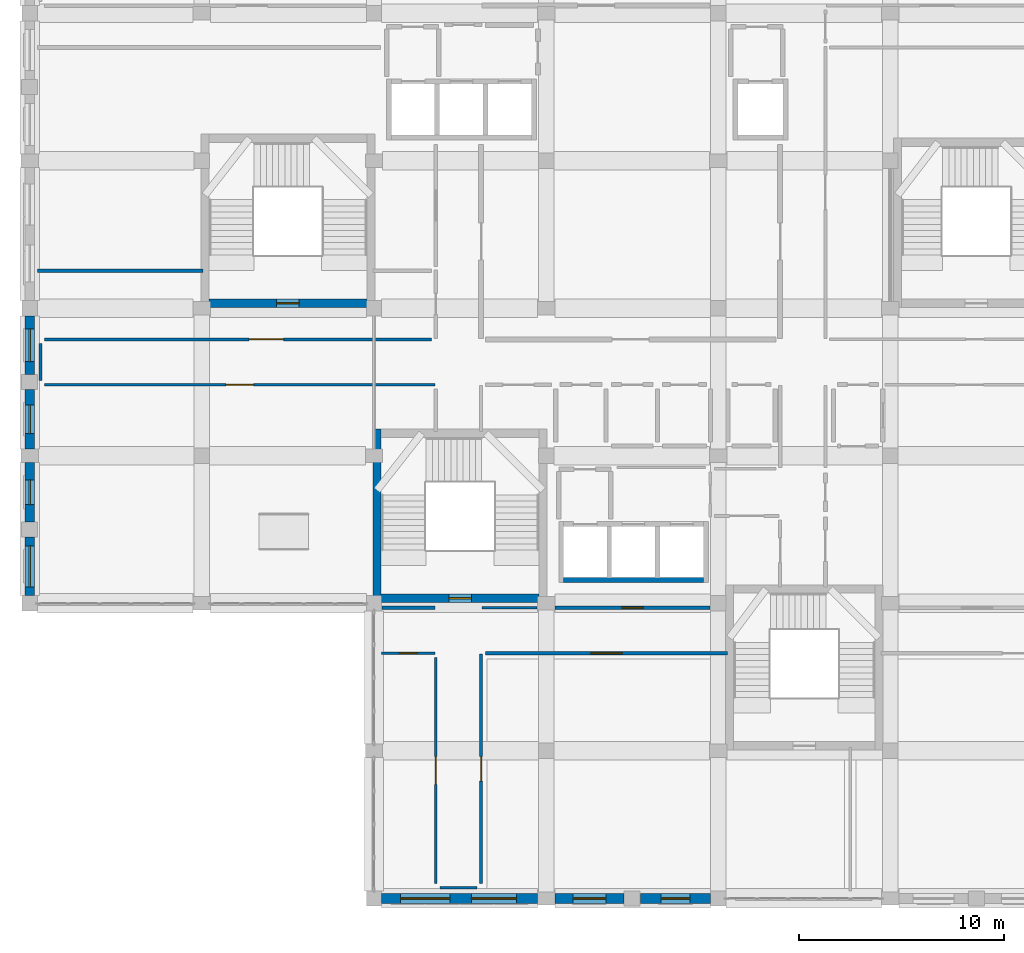
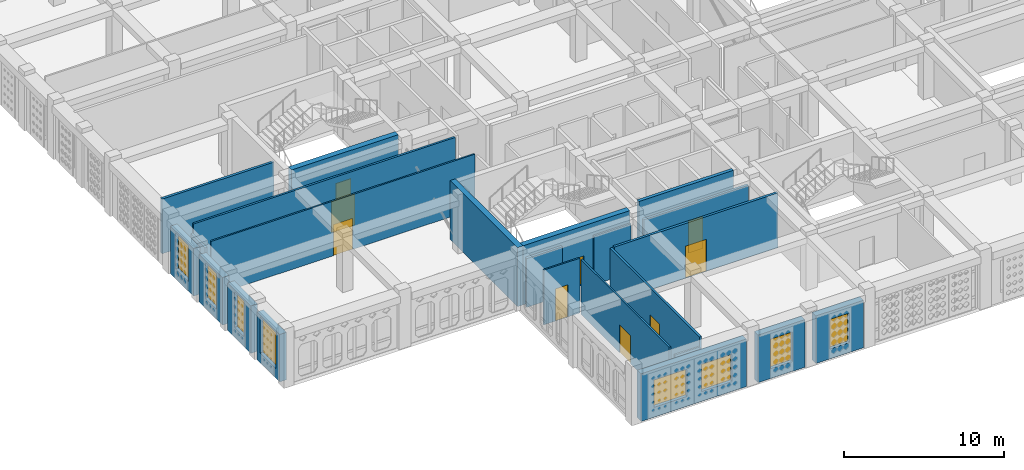
# One storey, part 71 of 121: 23 walls, 9 doors, 8 windows, 17 openings.
"""IFC4 building model written with IfcOpenShell, lengths in metres."""

import ifcopenshell
import ifcopenshell.guid

model = None  # the IFC model being written
_history = None  # IfcOwnerHistory: only IFC2X3 demands one
_inside = {}  # id of a spatial element -> (the spatial element, [elements in it])
_under = {}  # id of a project, library or spatial element -> (it, [spatial elements below it])
_declared = {}  # id of a project -> (the project, [libraries it declares])
_typed = {}  # id of a type object -> (the type object, [elements of that type])
_made_of = {}  # id of a material, layer set ... -> (it, [elements and type objects made of it])


def new_model(schema):
    """Start an empty IFC model of exactly this schema.

    Asked for "IFC4X3", IfcOpenShell would pick the latest addendum, in which some entities
    have other attributes; the version numbers below select the first issue.
    IFC2X3 requires an IfcOwnerHistory on every rooted entity: one is made here for all.
    """
    global model, _history
    if schema == "IFC4X3":
        model = ifcopenshell.file(schema_version=(4, 3, 0, 0))
    else:
        model = ifcopenshell.file(schema=schema)
    _inside.clear()
    _under.clear()
    _declared.clear()
    _typed.clear()
    _made_of.clear()
    _history = None
    if model.schema == "IFC2X3":
        org = make("IfcOrganization", Name="unknown")
        user = make(
            "IfcPersonAndOrganization",
            ThePerson=make("IfcPerson", FamilyName="unknown"),
            TheOrganization=org,
        )
        app = make(
            "IfcApplication",
            ApplicationDeveloper=org,
            Version="unknown",
            ApplicationFullName="unknown",
            ApplicationIdentifier="unknown",
        )
        _history = make(
            "IfcOwnerHistory",
            OwningUser=user,
            OwningApplication=app,
            ChangeAction="ADDED",
            CreationDate=0,
        )
    return model


def make(cls, **values):
    """One entity of the class cls with the attributes given. An attribute that is None is left unset."""
    return model.create_entity(
        cls, **{name: value for name, value in values.items() if value is not None}
    )


def rooted(cls, **values):
    """An entity with a GlobalId (a new one), such as an element, a storey or a relation."""
    return make(cls, GlobalId=ifcopenshell.guid.new(), OwnerHistory=_history, **values)


def si_unit(unit_type, name, prefix=None):
    """IfcSIUnit, for example si_unit("LENGTHUNIT", "METRE", prefix="MILLI")."""
    return make("IfcSIUnit", UnitType=unit_type, Prefix=prefix, Name=name)


def derived_unit(unit_type, elements):
    """IfcDerivedUnit: a product of units, each with its exponent."""
    return make(
        "IfcDerivedUnit",
        Elements=[
            make("IfcDerivedUnitElement", Unit=unit, Exponent=power)
            for unit, power in elements
        ],
        UnitType=unit_type,
    )


def assignment(units):
    """IfcUnitAssignment: the units of a project."""
    return None if units is None else make("IfcUnitAssignment", Units=units)


def point(xyz):
    """IfcCartesianPoint."""
    return None if xyz is None else make("IfcCartesianPoint", Coordinates=xyz)


def direction(xyz):
    """IfcDirection."""
    return None if xyz is None else make("IfcDirection", DirectionRatios=xyz)


def frame(location, z_axis=None, x_axis=None):
    """IfcAxis2Placement3D, a coordinate frame: its origin and axes. An axis left out is left unset."""
    return make(
        "IfcAxis2Placement3D",
        Location=point(location),
        Axis=direction(z_axis),
        RefDirection=direction(x_axis),
    )


def frame_2d(location, x_axis=None):
    """IfcAxis2Placement2D, a coordinate frame in the plane: its origin and x axis."""
    return make(
        "IfcAxis2Placement2D", Location=point(location), RefDirection=direction(x_axis)
    )


def origin():
    """The frame at (0, 0, 0) with its axes left unset."""
    return frame((0.0, 0.0, 0.0))


def place(relative_to, where):
    """IfcLocalPlacement: puts the frame where relative to a parent placement (None: the world)."""
    return make(
        "IfcLocalPlacement", PlacementRelTo=relative_to, RelativePlacement=where
    )


def context(
    kind, dimensions, precision=None, world=None, true_north=None, identifier=None
):
    """IfcGeometricRepresentationContext, for example the 3D "Model" context."""
    return make(
        "IfcGeometricRepresentationContext",
        ContextIdentifier=identifier,
        ContextType=kind,
        CoordinateSpaceDimension=dimensions,
        Precision=precision,
        WorldCoordinateSystem=world,
        TrueNorth=true_north,
    )


def subcontext(parent, identifier, kind, view, scale=None):
    """IfcGeometricRepresentationSubContext, for example "Body" below "Model"."""
    return make(
        "IfcGeometricRepresentationSubContext",
        ContextIdentifier=identifier,
        ContextType=kind,
        ParentContext=parent,
        TargetScale=scale,
        TargetView=view,
    )


def project(units=None, contexts=None):
    """IfcProject with its units and contexts."""
    return rooted(
        "IfcProject",
        Name="project",
        RepresentationContexts=contexts,
        UnitsInContext=assignment(units),
    )


def spatial(cls, under=None, at=None, **own):
    """A site, building, storey or space (cls), placed at a placement, below another one or the project."""
    s = rooted(cls, ObjectPlacement=at, **own)
    if under is not None:
        _under.setdefault(under.id(), (under, []))[1].append(s)
    return s


def profile(cls, at=None, kind="AREA", **sizes):
    """A parametric profile (cls). Its sizes go by their IFC names, for example OverallWidth=200.0."""
    return make(cls, ProfileType=kind, Position=at, **sizes)


def rectangle(**sizes):
    """IfcRectangleProfileDef."""
    return profile("IfcRectangleProfileDef", **sizes)


def extrude(swept, where, along, depth):
    """IfcExtrudedAreaSolid: the profile swept, set in the frame where, extruded along a direction by depth."""
    return make(
        "IfcExtrudedAreaSolid",
        SweptArea=swept,
        Position=where,
        ExtrudedDirection=direction(along),
        Depth=depth,
    )


def shape(context_of_items, identifier, shape_type, items):
    """IfcShapeRepresentation: the items that make up one representation, for example the "Body"."""
    return make(
        "IfcShapeRepresentation",
        ContextOfItems=context_of_items,
        RepresentationIdentifier=identifier,
        RepresentationType=shape_type,
        Items=items,
    )


def material(Name=None, Category=None):
    """IfcMaterial."""
    return make("IfcMaterial", Name=Name, Category=Category)


def layer(
    of_material, thickness, ventilated=None, Name=None, Category=None, Priority=None
):
    """IfcMaterialLayer: one layer of a wall or slab, of a material (None: an air gap)."""
    return make(
        "IfcMaterialLayer",
        Material=of_material,
        LayerThickness=thickness,
        IsVentilated=ventilated,
        Name=Name,
        Category=Category,
        Priority=Priority,
    )


def layer_set(layers, Name=None):
    """IfcMaterialLayerSet."""
    return make("IfcMaterialLayerSet", MaterialLayers=layers, LayerSetName=Name)


def made_of(thing, what):
    """Note that an element or type object is made of a material, layer set ...; save() writes the relation."""
    if what is not None:
        _made_of.setdefault(what.id(), (what, []))[1].append(thing)
    return thing


def type_object(cls, material=None, **own):
    """A type object (cls), such as IfcWallType, which elements share."""
    return made_of(rooted(cls, **own), material)


def element(
    cls,
    number,
    at=None,
    inside=None,
    cuts=None,
    type_object=None,
    material=None,
    context=None,
    identifier="Body",
    shape_type=None,
    held_by="IfcProductDefinitionShape",
    body=None,
    shapes=None,
    **own,
):
    """One element of the class cls, such as IfcWall. Its Tag is "e" and its number.

    at: its placement. inside: the storey or other place that contains it. cuts: it is an
    opening in that element (IfcRelVoidsElement). A single representation is given by context,
    identifier, shape_type and body (its items); several are given by shapes. held_by: the class
    of the entity that holds the representations. save() writes the other relations.
    """
    e = rooted(cls, Tag="e%d" % number, ObjectPlacement=at, **own)
    if body is not None:
        shapes = [shape(context, identifier, shape_type, body)]
    if shapes is not None:
        e.Representation = make(held_by, Representations=shapes)
    if inside is not None:
        _inside.setdefault(inside.id(), (inside, []))[1].append(e)
    if cuts is not None:
        rooted(
            "IfcRelVoidsElement", RelatingBuildingElement=cuts, RelatedOpeningElement=e
        )
    if type_object is not None:
        _typed.setdefault(type_object.id(), (type_object, []))[1].append(e)
    return made_of(e, material)


def fill(opening, filler):
    """IfcRelFillsElement: the door or window that sits in an opening."""
    return rooted(
        "IfcRelFillsElement",
        RelatingOpeningElement=opening,
        RelatedBuildingElement=filler,
    )


def aggregate(whole, parts):
    """IfcRelAggregates: a whole, such as a stair, and the parts it consists of."""
    return rooted("IfcRelAggregates", RelatingObject=whole, RelatedObjects=parts)


def save(model, path):
    """Write the relations noted so far, then the file.

    IfcRelAggregates (storeys below a building ...), IfcRelContainedInSpatialStructure (elements
    in a storey), IfcRelDefinesByType, IfcRelAssociatesMaterial and IfcRelDeclares: one each for
    every whole, place, type object, material and project.
    """
    for whole, parts in _under.values():
        aggregate(whole, parts)
    for where, things in _inside.values():
        rooted(
            "IfcRelContainedInSpatialStructure",
            RelatedElements=things,
            RelatingStructure=where,
        )
    for kind, things in _typed.values():
        rooted("IfcRelDefinesByType", RelatedObjects=things, RelatingType=kind)
    for what, things in _made_of.values():
        rooted("IfcRelAssociatesMaterial", RelatedObjects=things, RelatingMaterial=what)
    for by, libraries in _declared.values():
        rooted("IfcRelDeclares", RelatingContext=by, RelatedDefinitions=libraries)
    model.write(path)


model = new_model("IFC4")

# Units and contexts
model_context = context("Model", 3, precision=1e-05, world=origin(), true_north=direction((0.0, 1.0)))
body_context = subcontext(model_context, "Body", "Model", "MODEL_VIEW")
ifc_project = project(units=[si_unit("LENGTHUNIT", "METRE"), si_unit("AREAUNIT", "SQUARE_METRE"), si_unit("VOLUMEUNIT", "CUBIC_METRE"), si_unit("PLANEANGLEUNIT", "RADIAN"), si_unit("MASSUNIT", "GRAM", prefix="KILO"), derived_unit("THERMALTRANSMITTANCEUNIT", [(si_unit("POWERUNIT", "WATT"), 1), (si_unit("LENGTHUNIT", "METRE"), -2), (si_unit("THERMODYNAMICTEMPERATUREUNIT", "KELVIN"), -1)])], contexts=[model_context])

# Site, building, storey
site_placement = place(None, origin())
site = spatial("IfcSite", under=ifc_project, at=site_placement, CompositionType="ELEMENT")
building_placement = place(site_placement, origin())
building = spatial("IfcBuilding", under=site, at=building_placement, Name="Veybourne Emporium", CompositionType="ELEMENT")
storey_placement = place(building_placement, frame((0.0, 0.0, 5.39990234375)))
storey = spatial("IfcBuildingStorey", under=building, at=storey_placement, Name="L01", CompositionType="ELEMENT", Elevation=5.39990234375)

# Wall, opening, window
ifc_material_1 = material(Name="Portland Limestone Ashlar", Category="masonry")
ifc_layer_1 = layer(ifc_material_1, 0.47998046875)
ifc_layer_set_1 = layer_set([ifc_layer_1], Name="Portland Limestone Ashlar")
wall_type_1 = type_object("IfcWallType", Name="ExtWall_EW-01", PredefinedType="SOLIDWALL", material=ifc_layer_set_1)
wall_1_placement = place(storey_placement, frame((0.0, 14.77490234375, 0.0), z_axis=(0.0, 0.0, 1.0), x_axis=(0.0, 1.0, 0.0)))
wall_1 = element("IfcWall", 1, at=wall_1_placement, inside=storey, type_object=wall_type_1, Name="L01 Portland stone external wall 002A", PredefinedType="SOLIDWALL", context=body_context, shape_type="SweptSolid", body=[
    extrude(rectangle(XDim=2.85498046875, YDim=0.47998046875, at=frame_2d((1.427490234375, 0.0))), origin(), (0.0, 0.0, 1.0), 3.630126953125),
])
opening_1_placement = place(wall_1_placement, frame((0.427490234375, 0.0, 0.75)))
opening_1 = element("IfcOpeningElement", 2, at=opening_1_placement, cuts=wall_1, Name="Opening W-48", PredefinedType="OPENING", context=body_context, shape_type="SweptSolid", body=[
    extrude(rectangle(XDim=2.0, YDim=2.72998046875, at=frame_2d((1.0, 1.364990234375))), frame((0.0, 0.260009765625, 0.0), z_axis=(0.0, -1.0, 0.0), x_axis=(1.0, 0.0, 0.0)), (0.0, 0.0, 1.0), 0.52001953125),
])
ifc_material_2 = material(Name="Low-E Triple Glazing", Category="glass")
window_type_1 = type_object("IfcWindowType", Name="Win_W-48", PartitioningType="TRIPLE_PANEL_VERTICAL", PredefinedType="WINDOW", material=ifc_material_2)
window_1_placement = place(opening_1_placement, origin())
window_1 = element("IfcWindow", 3, at=window_1_placement, inside=storey, type_object=window_type_1, Name="L01 tripartite bronze casement window W-48 (2A)", OverallHeight=2.72998046875, OverallWidth=2.0, PartitioningType="TRIPLE_PANEL_VERTICAL", PredefinedType="WINDOW", context=body_context, shape_type="SweptSolid", body=[
    extrude(rectangle(XDim=2.0, YDim=2.72998046875, at=frame_2d((1.0, 1.364990234375))), frame((0.0, 0.030029296875, 0.0), z_axis=(0.0, -1.0, 0.0), x_axis=(1.0, 0.0, 0.0)), (0.0, 0.0, 1.0), 0.06005859375),
])
fill(opening_1, window_1)

wall_2_placement = place(storey_placement, frame((0.0, 18.3701171875, 0.0), z_axis=(0.0, 0.0, 1.0), x_axis=(0.0, 1.0, 0.0)))
wall_2 = element("IfcWall", 4, at=wall_2_placement, inside=storey, type_object=wall_type_1, Name="L01 Portland stone external wall 002B", PredefinedType="SOLIDWALL", context=body_context, shape_type="SweptSolid", body=[
    extrude(rectangle(XDim=2.90478515625, YDim=0.47998046875, at=frame_2d((1.452392578125, 0.0))), origin(), (0.0, 0.0, 1.0), 3.630126953125),
])
opening_2_placement = place(wall_2_placement, frame((0.8525390625, 0.0, 0.75)))
opening_2 = element("IfcOpeningElement", 5, at=opening_2_placement, cuts=wall_2, Name="Opening W-49", PredefinedType="OPENING", context=body_context, shape_type="SweptSolid", body=[
    extrude(rectangle(XDim=1.199951171875, YDim=2.72998046875, at=frame_2d((0.60009765625, 1.364990234375))), frame((0.0, 0.260009765625, 0.0), z_axis=(0.0, -1.0, 0.0), x_axis=(1.0, 0.0, 0.0)), (0.0, 0.0, 1.0), 0.52001953125),
])
window_type_2 = type_object("IfcWindowType", Name="Win_W-49", PartitioningType="SINGLE_PANEL", PredefinedType="WINDOW", material=ifc_material_2)
window_2_placement = place(opening_2_placement, origin())
window_2 = element("IfcWindow", 6, at=window_2_placement, inside=storey, type_object=window_type_2, Name="L01 tripartite bronze casement window W-49 (2B)", OverallHeight=2.72998046875, OverallWidth=1.199951171875, PartitioningType="SINGLE_PANEL", PredefinedType="WINDOW", context=body_context, shape_type="SweptSolid", body=[
    extrude(rectangle(XDim=1.199951171875, YDim=2.72998046875, at=frame_2d((0.60009765625, 1.364990234375))), frame((0.0, 0.030029296875, 0.0), z_axis=(0.0, -1.0, 0.0), x_axis=(1.0, 0.0, 0.0)), (0.0, 0.0, 1.0), 0.06005859375),
])
fill(opening_2, window_2)

wall_3_placement = place(storey_placement, frame((0.0, 21.925048828125, 0.0), z_axis=(0.0, 0.0, 1.0), x_axis=(0.0, 1.0, 0.0)))
wall_3 = element("IfcWall", 7, at=wall_3_placement, inside=storey, type_object=wall_type_1, Name="L01 Portland stone external wall 003A", PredefinedType="SOLIDWALL", context=body_context, shape_type="SweptSolid", body=[
    extrude(rectangle(XDim=2.905029296875, YDim=0.47998046875, at=frame_2d((1.45263671875, 0.0))), origin(), (0.0, 0.0, 1.0), 3.630126953125),
])
opening_3_placement = place(wall_3_placement, frame((0.75244140625, 0.0, 0.75)))
opening_3 = element("IfcOpeningElement", 8, at=opening_3_placement, cuts=wall_3, Name="Opening W-50", PredefinedType="OPENING", context=body_context, shape_type="SweptSolid", body=[
    extrude(rectangle(XDim=1.39990234375, YDim=2.72998046875, at=frame_2d((0.699951171875, 1.364990234375))), frame((0.0, 0.260009765625, 0.0), z_axis=(0.0, -1.0, 0.0), x_axis=(1.0, 0.0, 0.0)), (0.0, 0.0, 1.0), 0.52001953125),
])
window_type_3 = type_object("IfcWindowType", Name="Win_W-50", PartitioningType="DOUBLE_PANEL_VERTICAL", PredefinedType="WINDOW", material=ifc_material_2)
window_3_placement = place(opening_3_placement, origin())
window_3 = element("IfcWindow", 9, at=window_3_placement, inside=storey, type_object=window_type_3, Name="L01 tripartite bronze casement window W-50 (3A)", OverallHeight=2.72998046875, OverallWidth=1.39990234375, PartitioningType="DOUBLE_PANEL_VERTICAL", PredefinedType="WINDOW", context=body_context, shape_type="SweptSolid", body=[
    extrude(rectangle(XDim=1.39990234375, YDim=2.72998046875, at=frame_2d((0.699951171875, 1.364990234375))), frame((0.0, 0.030029296875, 0.0), z_axis=(0.0, -1.0, 0.0), x_axis=(1.0, 0.0, 0.0)), (0.0, 0.0, 1.0), 0.06005859375),
])
fill(opening_3, window_3)

wall_4_placement = place(storey_placement, frame((0.0, 25.570068359375, 0.0), z_axis=(0.0, 0.0, 1.0), x_axis=(0.0, 1.0, 0.0)))
wall_4 = element("IfcWall", 10, at=wall_4_placement, inside=storey, type_object=wall_type_1, Name="L01 Portland stone external wall 003B", PredefinedType="SOLIDWALL", context=body_context, shape_type="SweptSolid", body=[
    extrude(rectangle(XDim=2.85498046875, YDim=0.47998046875, at=frame_2d((1.427490234375, 0.0))), origin(), (0.0, 0.0, 1.0), 3.630126953125),
])
opening_4_placement = place(wall_4_placement, frame((0.62744140625, 0.0, 0.75)))
opening_4 = element("IfcOpeningElement", 11, at=opening_4_placement, cuts=wall_4, Name="Opening W-51", PredefinedType="OPENING", context=body_context, shape_type="SweptSolid", body=[
    extrude(rectangle(XDim=1.60009765625, YDim=2.72998046875, at=frame_2d((0.800048828125, 1.364990234375))), frame((0.0, 0.260009765625, 0.0), z_axis=(0.0, -1.0, 0.0), x_axis=(1.0, 0.0, 0.0)), (0.0, 0.0, 1.0), 0.52001953125),
])
window_type_4 = type_object("IfcWindowType", Name="Win_W-51", PartitioningType="DOUBLE_PANEL_VERTICAL", PredefinedType="WINDOW", material=ifc_material_2)
window_4_placement = place(opening_4_placement, origin())
window_4 = element("IfcWindow", 12, at=window_4_placement, inside=storey, type_object=window_type_4, Name="L01 tripartite bronze casement window W-51 (3B)", OverallHeight=2.72998046875, OverallWidth=1.60009765625, PartitioningType="DOUBLE_PANEL_VERTICAL", PredefinedType="WINDOW", context=body_context, shape_type="SweptSolid", body=[
    extrude(rectangle(XDim=1.60009765625, YDim=2.72998046875, at=frame_2d((0.800048828125, 1.364990234375))), frame((0.0, 0.030029296875, 0.0), z_axis=(0.0, -1.0, 0.0), x_axis=(1.0, 0.0, 0.0)), (0.0, 0.0, 1.0), 0.06005859375),
])
fill(opening_4, window_4)

# Wall, openings, windows
wall_5_placement = place(storey_placement, frame((24.77490234375, 0.0, 0.0), z_axis=(0.0, 0.0, 1.0), x_axis=(-1.0, 0.0, 0.0)))
wall_5 = element("IfcWall", 13, at=wall_5_placement, inside=storey, type_object=wall_type_1, Name="L01 Portland stone external wall 014", PredefinedType="SOLIDWALL", context=body_context, shape_type="SweptSolid", body=[
    extrude(rectangle(XDim=7.599853515625, YDim=0.47998046875, at=frame_2d((3.7998046875, 0.0))), origin(), (0.0, 0.0, 1.0), 3.630126953125),
])
opening_5_placement = place(wall_5_placement, frame((1.028076171875, 0.0, 0.75)))
opening_5 = element("IfcOpeningElement", 14, at=opening_5_placement, cuts=wall_5, Name="Opening W-14", PredefinedType="OPENING", context=body_context, shape_type="SweptSolid", body=[
    extrude(rectangle(XDim=2.199951171875, YDim=2.080078125, at=frame_2d((1.10009765625, 1.0400390625))), frame((0.0, 0.260009765625, 0.0), z_axis=(0.0, -1.0, 0.0), x_axis=(1.0, 0.0, 0.0)), (0.0, 0.0, 1.0), 0.52001953125),
])
opening_6_placement = place(wall_5_placement, frame((4.27197265625, 0.0, 0.75)))
opening_6 = element("IfcOpeningElement", 15, at=opening_6_placement, cuts=wall_5, Name="Opening W-15", PredefinedType="OPENING", context=body_context, shape_type="SweptSolid", body=[
    extrude(rectangle(XDim=2.39990234375, YDim=2.080078125, at=frame_2d((1.199951171875, 1.0400390625))), frame((0.0, 0.260009765625, 0.0), z_axis=(0.0, -1.0, 0.0), x_axis=(1.0, 0.0, 0.0)), (0.0, 0.0, 1.0), 0.52001953125),
])
window_type_5 = type_object("IfcWindowType", Name="Win_W-14", PartitioningType="TRIPLE_PANEL_VERTICAL", PredefinedType="WINDOW", material=ifc_material_2)
window_5_placement = place(opening_5_placement, origin())
window_5 = element("IfcWindow", 16, at=window_5_placement, inside=storey, type_object=window_type_5, Name="L01 tripartite bronze casement window W-14 (14.1)", OverallHeight=2.080078125, OverallWidth=2.199951171875, PartitioningType="TRIPLE_PANEL_VERTICAL", PredefinedType="WINDOW", context=body_context, shape_type="SweptSolid", body=[
    extrude(rectangle(XDim=2.199951171875, YDim=2.080078125, at=frame_2d((1.10009765625, 1.0400390625))), frame((0.0, 0.030029296875, 0.0), z_axis=(0.0, -1.0, 0.0), x_axis=(1.0, 0.0, 0.0)), (0.0, 0.0, 1.0), 0.06005859375),
])
fill(opening_5, window_5)
window_type_6 = type_object("IfcWindowType", Name="Win_W-15", PartitioningType="TRIPLE_PANEL_VERTICAL", PredefinedType="WINDOW", material=ifc_material_2)
window_6_placement = place(opening_6_placement, origin())
window_6 = element("IfcWindow", 17, at=window_6_placement, inside=storey, type_object=window_type_6, Name="L01 tripartite bronze casement window W-15 (14.2)", OverallHeight=2.080078125, OverallWidth=2.39990234375, PartitioningType="TRIPLE_PANEL_VERTICAL", PredefinedType="WINDOW", context=body_context, shape_type="SweptSolid", body=[
    extrude(rectangle(XDim=2.39990234375, YDim=2.080078125, at=frame_2d((1.199951171875, 1.0400390625))), frame((0.0, 0.030029296875, 0.0), z_axis=(0.0, -1.0, 0.0), x_axis=(1.0, 0.0, 0.0)), (0.0, 0.0, 1.0), 0.06005859375),
])
fill(opening_6, window_6)

# Wall, opening, window
wall_6_placement = place(storey_placement, frame((33.22509765625, 0.0, 0.0), z_axis=(0.0, 0.0, 1.0), x_axis=(-1.0, 0.0, 0.0)))
wall_6 = element("IfcWall", 18, at=wall_6_placement, inside=storey, type_object=wall_type_1, Name="L01 Portland stone external wall 019A", PredefinedType="SOLIDWALL", context=body_context, shape_type="SweptSolid", body=[
    extrude(rectangle(XDim=3.425048828125, YDim=0.47998046875, at=frame_2d((1.71240234375, 0.0))), origin(), (0.0, 0.0, 1.0), 3.630126953125),
])
opening_7_placement = place(wall_6_placement, frame((1.012451171875, 0.0, 0.75)))
opening_7 = element("IfcOpeningElement", 19, at=opening_7_placement, cuts=wall_6, Name="Opening W-18", PredefinedType="OPENING", context=body_context, shape_type="SweptSolid", body=[
    extrude(rectangle(XDim=1.39990234375, YDim=2.260009765625, at=frame_2d((0.699951171875, 1.1298828125))), frame((0.0, 0.260009765625, 0.0), z_axis=(0.0, -1.0, 0.0), x_axis=(1.0, 0.0, 0.0)), (0.0, 0.0, 1.0), 0.52001953125),
])
window_type_7 = type_object("IfcWindowType", Name="Win_W-18", PartitioningType="DOUBLE_PANEL_VERTICAL", PredefinedType="WINDOW", material=ifc_material_2)
window_7_placement = place(opening_7_placement, origin())
window_7 = element("IfcWindow", 20, at=window_7_placement, inside=storey, type_object=window_type_7, Name="L01 tripartite bronze casement window W-18 (19A)", OverallHeight=2.260009765625, OverallWidth=1.39990234375, PartitioningType="DOUBLE_PANEL_VERTICAL", PredefinedType="WINDOW", context=body_context, shape_type="SweptSolid", body=[
    extrude(rectangle(XDim=1.39990234375, YDim=2.260009765625, at=frame_2d((0.699951171875, 1.1298828125))), frame((0.0, 0.030029296875, 0.0), z_axis=(0.0, -1.0, 0.0), x_axis=(1.0, 0.0, 0.0)), (0.0, 0.0, 1.0), 0.06005859375),
])
fill(opening_7, window_7)

wall_7_placement = place(storey_placement, frame((29.0, 0.0, 0.0), z_axis=(0.0, 0.0, 1.0), x_axis=(-1.0, 0.0, 0.0)))
wall_7 = element("IfcWall", 21, at=wall_7_placement, inside=storey, type_object=wall_type_1, Name="L01 Portland stone external wall 019B", PredefinedType="SOLIDWALL", context=body_context, shape_type="SweptSolid", body=[
    extrude(rectangle(XDim=3.375, YDim=0.47998046875, at=frame_2d((1.6875, 0.0))), origin(), (0.0, 0.0, 1.0), 3.630126953125),
])
opening_8_placement = place(wall_7_placement, frame((0.887451171875, 0.0, 0.75)))
opening_8 = element("IfcOpeningElement", 22, at=opening_8_placement, cuts=wall_7, Name="Opening W-19", PredefinedType="OPENING", context=body_context, shape_type="SweptSolid", body=[
    extrude(rectangle(XDim=1.60009765625, YDim=2.260009765625, at=frame_2d((0.800048828125, 1.1298828125))), frame((0.0, 0.260009765625, 0.0), z_axis=(0.0, -1.0, 0.0), x_axis=(1.0, 0.0, 0.0)), (0.0, 0.0, 1.0), 0.52001953125),
])
window_type_8 = type_object("IfcWindowType", Name="Win_W-19", PartitioningType="DOUBLE_PANEL_VERTICAL", PredefinedType="WINDOW", material=ifc_material_2)
window_8_placement = place(opening_8_placement, origin())
window_8 = element("IfcWindow", 23, at=window_8_placement, inside=storey, type_object=window_type_8, Name="L01 tripartite bronze casement window W-19 (19B)", OverallHeight=2.260009765625, OverallWidth=1.60009765625, PartitioningType="DOUBLE_PANEL_VERTICAL", PredefinedType="WINDOW", context=body_context, shape_type="SweptSolid", body=[
    extrude(rectangle(XDim=1.60009765625, YDim=2.260009765625, at=frame_2d((0.800048828125, 1.1298828125))), frame((0.0, 0.030029296875, 0.0), z_axis=(0.0, -1.0, 0.0), x_axis=(1.0, 0.0, 0.0)), (0.0, 0.0, 1.0), 0.06005859375),
])
fill(opening_8, window_8)

# Wall, opening, door
ifc_material_3 = material(Name="Concrete C40/50", Category="concrete")
ifc_layer_2 = layer(ifc_material_3, 0.39990234375)
ifc_layer_set_2 = layer_set([ifc_layer_2], Name="Concrete C40/50")
wall_type_2 = type_object("IfcWallType", Name="IntWall_CW-01", PredefinedType="SHEAR", material=ifc_layer_set_2)
wall_8_placement = place(storey_placement, frame((24.85009765625, 14.64990234375, 0.0), z_axis=(0.0, 0.0, 1.0), x_axis=(-1.0, 0.0, 0.0)))
wall_8 = element("IfcWall", 24, at=wall_8_placement, inside=storey, type_object=wall_type_2, Name="Core stair ST-01 south shear wall (L01)", PredefinedType="SHEAR", context=body_context, shape_type="SweptSolid", body=[
    extrude(rectangle(XDim=7.7001953125, YDim=0.39990234375, at=frame_2d((3.85009765625, 0.0))), origin(), (0.0, 0.0, 1.0), 4.5),
])
opening_9_placement = place(wall_8_placement, frame((3.300048828125, 0.0, 0.0)))
opening_9 = element("IfcOpeningElement", 25, at=opening_9_placement, cuts=wall_8, Name="Opening FD-01", PredefinedType="OPENING", context=body_context, shape_type="SweptSolid", body=[
    extrude(rectangle(XDim=1.10009765625, YDim=2.199951171875, at=frame_2d((0.550048828125, 1.10009765625))), frame((0.0, 0.219970703125, 0.0), z_axis=(0.0, -1.0, 0.0), x_axis=(1.0, 0.0, 0.0)), (0.0, 0.0, 1.0), 0.43994140625),
])
ifc_material_4 = material(Name="Patinated Architectural Bronze", Category="bronze")
door_type_1 = type_object("IfcDoorType", Name="FireDoor_FD-01", OperationType="NOTDEFINED", PredefinedType="DOOR", material=ifc_material_4)
door_1_placement = place(opening_9_placement, origin())
door_1 = element("IfcDoor", 26, at=door_1_placement, inside=storey, type_object=door_type_1, Name="Stair ST-01 fire door (L01)", OperationType="SINGLE_SWING_RIGHT", OverallHeight=2.199951171875, OverallWidth=1.10009765625, PredefinedType="DOOR", context=body_context, shape_type="SweptSolid", body=[
    extrude(rectangle(XDim=1.10009765625, YDim=2.199951171875, at=frame_2d((0.550048828125, 1.10009765625))), frame((0.0, 0.02490234375, 0.0), z_axis=(0.0, -1.0, 0.0), x_axis=(1.0, 0.0, 0.0)), (0.0, 0.0, 1.0), 0.050048828125),
])
fill(opening_9, door_1)

# Wall
wall_9_placement = place(storey_placement, frame((16.949951171875, 22.89990234375, 0.0), z_axis=(0.0, 0.0, 1.0), x_axis=(0.0, -1.0, 0.0)))
element("IfcWall", 27, at=wall_9_placement, inside=storey, type_object=wall_type_2, Name="Core stair ST-01 west shear wall (L01)", PredefinedType="SHEAR", context=body_context, shape_type="SweptSolid", body=[
    extrude(rectangle(XDim=8.449951171875, YDim=0.39990234375, at=frame_2d((4.22509765625, 0.0))), origin(), (0.0, 0.0, 1.0), 4.5),
])

# Wall, opening, door
wall_10_placement = place(storey_placement, frame((16.449951171875, 29.050048828125, 0.0), z_axis=(0.0, 0.0, 1.0), x_axis=(-1.0, 0.0, 0.0)))
wall_10 = element("IfcWall", 28, at=wall_10_placement, inside=storey, type_object=wall_type_2, Name="Core stair ST-02 south shear wall (L01)", PredefinedType="SHEAR", context=body_context, shape_type="SweptSolid", body=[
    extrude(rectangle(XDim=7.699951171875, YDim=0.39990234375, at=frame_2d((3.85009765625, 0.0))), origin(), (0.0, 0.0, 1.0), 4.5),
])
opening_10_placement = place(wall_10_placement, frame((3.300048828125, 0.0, 0.0)))
opening_10 = element("IfcOpeningElement", 29, at=opening_10_placement, cuts=wall_10, Name="Opening FD-01", PredefinedType="OPENING", context=body_context, shape_type="SweptSolid", body=[
    extrude(rectangle(XDim=1.10009765625, YDim=2.199951171875, at=frame_2d((0.550048828125, 1.10009765625))), frame((0.0, 0.219970703125, 0.0), z_axis=(0.0, -1.0, 0.0), x_axis=(1.0, 0.0, 0.0)), (0.0, 0.0, 1.0), 0.43994140625),
])
door_2_placement = place(opening_10_placement, origin())
door_2 = element("IfcDoor", 30, at=door_2_placement, inside=storey, type_object=door_type_1, Name="Stair ST-02 fire door (L01)", OperationType="SINGLE_SWING_LEFT", OverallHeight=2.199951171875, OverallWidth=1.10009765625, PredefinedType="DOOR", context=body_context, shape_type="SweptSolid", body=[
    extrude(rectangle(XDim=1.10009765625, YDim=2.199951171875, at=frame_2d((0.550048828125, 1.10009765625))), frame((0.0, 0.02490234375, 0.0), z_axis=(0.0, -1.0, 0.0), x_axis=(1.0, 0.0, 0.0)), (0.0, 0.0, 1.0), 0.050048828125),
])
fill(opening_10, door_2)

# Wall
ifc_layer_3 = layer(ifc_material_3, 0.239990234375)
ifc_layer_set_3 = layer_set([ifc_layer_3], Name="Concrete C40/50")
wall_type_3 = type_object("IfcWallType", Name="IntWall_CW-04", PredefinedType="SHEAR", material=ifc_layer_set_3)
wall_11_placement = place(storey_placement, frame((26.06005859375, 15.530029296875, 0.0), z_axis=(0.0, 0.0, 1.0), x_axis=(1.0, 0.0, 0.0)))
element("IfcWall", 31, at=wall_11_placement, inside=storey, type_object=wall_type_3, Name="Lift core C1 south shaft wall (L01)", PredefinedType="SHEAR", context=body_context, shape_type="SweptSolid", body=[
    extrude(rectangle(XDim=6.81982421875, YDim=0.239990234375, at=frame_2d((3.409912109375, 0.0))), origin(), (0.0, 0.0, 1.0), 4.18017578125),
])

# Wall, opening, door
ifc_material_5 = material(Name="Gypsum Acoustic Board", Category="gypsum")
ifc_layer_4 = layer(ifc_material_5, 0.179931640625)
ifc_layer_set_4 = layer_set([ifc_layer_4], Name="Gypsum Acoustic Board")
wall_type_4 = type_object("IfcWallType", Name="IntWall_IW-01", PredefinedType="PARTITIONING", material=ifc_layer_set_4)
wall_12_placement = place(storey_placement, frame((25.64501953125, 14.179931640625, 0.0), z_axis=(0.0, 0.0, 1.0), x_axis=(1.0, 0.0, 0.0)))
wall_12 = element("IfcWall", 32, at=wall_12_placement, inside=storey, type_object=wall_type_4, Name="L01 interior partition IW-01 #043", PredefinedType="PARTITIONING", context=body_context, shape_type="SweptSolid", body=[
    extrude(rectangle(XDim=7.56005859375, YDim=0.179931640625, at=frame_2d((3.780029296875, 0.0))), origin(), (0.0, 0.0, 1.0), 3.72998046875),
])
opening_11_placement = place(wall_12_placement, frame((3.260009765625, 0.0, 0.0)))
opening_11 = element("IfcOpeningElement", 33, at=opening_11_placement, cuts=wall_12, Name="Opening D-32", PredefinedType="OPENING", context=body_context, shape_type="SweptSolid", body=[
    extrude(rectangle(XDim=1.0400390625, YDim=2.449951171875, at=frame_2d((0.52001953125, 1.22509765625))), frame((0.0, 0.10986328125, 0.0), z_axis=(0.0, -1.0, 0.0), x_axis=(1.0, 0.0, 0.0)), (0.0, 0.0, 1.0), 0.219970703125),
])
ifc_material_6 = material(Name="European Oak Veneer and Bronze", Category="wood")
door_type_2 = type_object("IfcDoorType", Name="IntDoor_D-32", OperationType="NOTDEFINED", PredefinedType="DOOR", material=ifc_material_6)
door_3_placement = place(opening_11_placement, origin())
door_3 = element("IfcDoor", 34, at=door_3_placement, inside=storey, type_object=door_type_2, Name="L01 interior door D-32 (PART-L01-043)", OperationType="SINGLE_SWING_RIGHT", OverallHeight=2.449951171875, OverallWidth=1.0400390625, PredefinedType="DOOR", context=body_context, shape_type="SweptSolid", body=[
    extrude(rectangle(XDim=1.0400390625, YDim=2.449951171875, at=frame_2d((0.52001953125, 1.22509765625))), frame((0.0, 0.02490234375, 0.0), z_axis=(0.0, -1.0, 0.0), x_axis=(1.0, 0.0, 0.0)), (0.0, 0.0, 1.0), 0.050048828125),
])
fill(opening_11, door_3)

wall_13_placement = place(storey_placement, frame((22.239990234375, 11.969970703125, 0.0), z_axis=(0.0, 0.0, 1.0), x_axis=(1.0, 0.0, 0.0)))
wall_13 = element("IfcWall", 35, at=wall_13_placement, inside=storey, type_object=wall_type_4, Name="L01 interior partition IW-01 #046", PredefinedType="PARTITIONING", context=body_context, shape_type="SweptSolid", body=[
    extrude(rectangle(XDim=11.820068359375, YDim=0.179931640625, at=frame_2d((5.91015625, 0.0))), origin(), (0.0, 0.0, 1.0), 4.18017578125),
])
opening_12_placement = place(wall_13_placement, frame((5.14990234375, 0.0, 0.0)))
opening_12 = element("IfcOpeningElement", 36, at=opening_12_placement, cuts=wall_13, Name="Opening D-35", PredefinedType="OPENING", context=body_context, shape_type="SweptSolid", body=[
    extrude(rectangle(XDim=1.52001953125, YDim=2.449951171875, at=frame_2d((0.760009765625, 1.22509765625))), frame((0.0, 0.10986328125, 0.0), z_axis=(0.0, -1.0, 0.0), x_axis=(1.0, 0.0, 0.0)), (0.0, 0.0, 1.0), 0.219970703125),
])
door_type_3 = type_object("IfcDoorType", Name="IntDoor_D-35", OperationType="NOTDEFINED", PredefinedType="DOOR", material=ifc_material_6)
door_4_placement = place(opening_12_placement, origin())
door_4 = element("IfcDoor", 37, at=door_4_placement, inside=storey, type_object=door_type_3, Name="L01 interior door D-35 (PART-L01-046)", OperationType="SINGLE_SWING_LEFT", OverallHeight=2.449951171875, OverallWidth=1.52001953125, PredefinedType="DOOR", context=body_context, shape_type="SweptSolid", body=[
    extrude(rectangle(XDim=1.52001953125, YDim=2.449951171875, at=frame_2d((0.760009765625, 1.22509765625))), frame((0.0, 0.02490234375, 0.0), z_axis=(0.0, -1.0, 0.0), x_axis=(1.0, 0.0, 0.0)), (0.0, 0.0, 1.0), 0.050048828125),
])
fill(opening_12, door_4)

# Walls
wall_14_placement = place(storey_placement, frame((17.195068359375, 14.179931640625, 0.0), z_axis=(0.0, 0.0, 1.0), x_axis=(1.0, 0.0, 0.0)))
element("IfcWall", 38, at=wall_14_placement, inside=storey, type_object=wall_type_4, Name="L01 interior partition IW-01 #115", PredefinedType="PARTITIONING", context=body_context, shape_type="SweptSolid", body=[
    extrude(rectangle(XDim=2.574951171875, YDim=0.179931640625, at=frame_2d((1.28759765625, 0.0))), origin(), (0.0, 0.0, 1.0), 3.72998046875),
])
wall_15_placement = place(storey_placement, frame((0.3701171875, 30.6298828125, 0.0), z_axis=(0.0, 0.0, 1.0), x_axis=(1.0, 0.0, 0.0)))
element("IfcWall", 39, at=wall_15_placement, inside=storey, type_object=wall_type_4, Name="L01 interior partition IW-01 #187", PredefinedType="PARTITIONING", context=body_context, shape_type="SweptSolid", body=[
    extrude(rectangle(XDim=8.08984375, YDim=0.179931640625, at=frame_2d((4.044921875, 0.0))), origin(), (0.0, 0.0, 1.0), 4.18017578125),
])

# Wall, opening, door
ifc_layer_5 = layer(ifc_material_5, 0.14990234375)
ifc_layer_set_5 = layer_set([ifc_layer_5], Name="Gypsum Acoustic Board")
wall_type_5 = type_object("IfcWallType", Name="IntWall_IW-02", PredefinedType="PARTITIONING", material=ifc_layer_set_5)
wall_16_placement = place(storey_placement, frame((0.72998046875, 27.280029296875, 0.0), z_axis=(0.0, 0.0, 1.0), x_axis=(1.0, 0.0, 0.0)))
wall_16 = element("IfcWall", 40, at=wall_16_placement, inside=storey, type_object=wall_type_5, Name="L01 interior partition IW-02 #005", PredefinedType="PARTITIONING", context=body_context, shape_type="SweptSolid", body=[
    extrude(rectangle(XDim=18.880126953125, YDim=0.14990234375, at=frame_2d((9.43994140625, 0.0))), origin(), (0.0, 0.0, 1.0), 4.18017578125),
])
opening_13_placement = place(wall_16_placement, frame((9.97607421875, 0.0, 0.0)))
opening_13 = element("IfcOpeningElement", 41, at=opening_13_placement, cuts=wall_16, Name="Opening D-30", PredefinedType="OPENING", context=body_context, shape_type="SweptSolid", body=[
    extrude(rectangle(XDim=1.679931640625, YDim=2.3701171875, at=frame_2d((0.83984375, 1.18505859375))), frame((0.0, 0.094970703125, 0.0), z_axis=(0.0, -1.0, 0.0), x_axis=(1.0, 0.0, 0.0)), (0.0, 0.0, 1.0), 0.18994140625),
])
door_type_4 = type_object("IfcDoorType", Name="IntDoor_D-30", OperationType="DOUBLE_DOOR_SINGLE_SWING", PredefinedType="DOOR", material=ifc_material_6)
door_5_placement = place(opening_13_placement, origin())
door_5 = element("IfcDoor", 42, at=door_5_placement, inside=storey, type_object=door_type_4, Name="L01 interior door D-30 (PART-L01-005)", OperationType="DOUBLE_DOOR_SINGLE_SWING", OverallHeight=2.3701171875, OverallWidth=1.679931640625, PredefinedType="DOOR", context=body_context, shape_type="SweptSolid", body=[
    extrude(rectangle(XDim=1.679931640625, YDim=2.3701171875, at=frame_2d((0.83984375, 1.18505859375))), frame((0.0, 0.02490234375, 0.0), z_axis=(0.0, -1.0, 0.0), x_axis=(1.0, 0.0, 0.0)), (0.0, 0.0, 1.0), 0.050048828125),
])
fill(opening_13, door_5)

wall_17_placement = place(storey_placement, frame((22.030029296875, 0.72998046875, 0.0), z_axis=(0.0, 0.0, 1.0), x_axis=(0.0, 1.0, 0.0)))
wall_17 = element("IfcWall", 43, at=wall_17_placement, inside=storey, type_object=wall_type_5, Name="L01 interior partition IW-02 #056", PredefinedType="PARTITIONING", context=body_context, shape_type="SweptSolid", body=[
    extrude(rectangle(XDim=11.18994140625, YDim=0.14990234375, at=frame_2d((5.594970703125, 0.0))), origin(), (0.0, 0.0, 1.0), 4.18017578125),
])
opening_14_placement = place(wall_17_placement, frame((4.9951171875, 0.0, 0.0)))
opening_14 = element("IfcOpeningElement", 44, at=opening_14_placement, cuts=wall_17, Name="Opening D-09", PredefinedType="OPENING", context=body_context, shape_type="SweptSolid", body=[
    extrude(rectangle(XDim=1.199951171875, YDim=2.1298828125, at=frame_2d((0.60009765625, 1.06494140625))), frame((0.0, 0.094970703125, 0.0), z_axis=(0.0, -1.0, 0.0), x_axis=(1.0, 0.0, 0.0)), (0.0, 0.0, 1.0), 0.18994140625),
])
door_type_5 = type_object("IfcDoorType", Name="IntDoor_D-09", OperationType="NOTDEFINED", PredefinedType="DOOR", material=ifc_material_6)
door_6_placement = place(opening_14_placement, origin())
door_6 = element("IfcDoor", 45, at=door_6_placement, inside=storey, type_object=door_type_5, Name="L01 interior door D-09 (PART-L01-056)", OperationType="SINGLE_SWING_LEFT", OverallHeight=2.1298828125, OverallWidth=1.199951171875, PredefinedType="DOOR", context=body_context, shape_type="SweptSolid", body=[
    extrude(rectangle(XDim=1.199951171875, YDim=2.1298828125, at=frame_2d((0.60009765625, 1.06494140625))), frame((0.0, 0.02490234375, 0.0), z_axis=(0.0, -1.0, 0.0), x_axis=(1.0, 0.0, 0.0)), (0.0, 0.0, 1.0), 0.050048828125),
])
fill(opening_14, door_6)

# Wall
wall_18_placement = place(storey_placement, frame((0.52001953125, 25.280029296875, 0.0), z_axis=(0.0, 0.0, 1.0), x_axis=(0.0, 1.0, 0.0)))
element("IfcWall", 46, at=wall_18_placement, inside=storey, type_object=wall_type_5, Name="L01 interior partition IW-02 #152", PredefinedType="PARTITIONING", context=body_context, shape_type="SweptSolid", body=[
    extrude(rectangle(XDim=1.7900390625, YDim=0.14990234375, at=frame_2d((0.89501953125, 0.0))), origin(), (0.0, 0.0, 1.0), 3.630126953125),
])

# Wall, opening, door
ifc_layer_6 = layer(ifc_material_5, 0.1201171875)
ifc_layer_set_6 = layer_set([ifc_layer_6], Name="Gypsum Acoustic Board")
wall_type_6 = type_object("IfcWallType", Name="IntWall_IW-03", PredefinedType="PARTITIONING", material=ifc_layer_set_6)
wall_19_placement = place(storey_placement, frame((0.72998046875, 25.070068359375, 0.0), z_axis=(0.0, 0.0, 1.0), x_axis=(1.0, 0.0, 0.0)))
wall_19 = element("IfcWall", 47, at=wall_19_placement, inside=storey, type_object=wall_type_6, Name="L01 interior partition IW-03 #003", PredefinedType="PARTITIONING", context=body_context, shape_type="SweptSolid", body=[
    extrude(rectangle(XDim=19.0400390625, YDim=0.1201171875, at=frame_2d((9.52001953125, 0.0))), origin(), (0.0, 0.0, 1.0), 4.18017578125),
])
opening_15_placement = place(wall_19_placement, frame((8.840087890625, 0.0, 0.0)))
opening_15 = element("IfcOpeningElement", 48, at=opening_15_placement, cuts=wall_19, Name="Opening D-28", PredefinedType="OPENING", context=body_context, shape_type="SweptSolid", body=[
    extrude(rectangle(XDim=1.360107421875, YDim=2.3701171875, at=frame_2d((0.68017578125, 1.18505859375))), frame((0.0, 0.080078125, 0.0), z_axis=(0.0, -1.0, 0.0), x_axis=(1.0, 0.0, 0.0)), (0.0, 0.0, 1.0), 0.16015625),
])
door_type_6 = type_object("IfcDoorType", Name="IntDoor_D-28", OperationType="NOTDEFINED", PredefinedType="DOOR", material=ifc_material_6)
door_7_placement = place(opening_15_placement, origin())
door_7 = element("IfcDoor", 49, at=door_7_placement, inside=storey, type_object=door_type_6, Name="L01 interior door D-28 (PART-L01-003)", OperationType="SINGLE_SWING_LEFT", OverallHeight=2.3701171875, OverallWidth=1.360107421875, PredefinedType="DOOR", context=body_context, shape_type="SweptSolid", body=[
    extrude(rectangle(XDim=1.360107421875, YDim=2.3701171875, at=frame_2d((0.68017578125, 1.18505859375))), frame((0.0, 0.02490234375, 0.0), z_axis=(0.0, -1.0, 0.0), x_axis=(1.0, 0.0, 0.0)), (0.0, 0.0, 1.0), 0.050048828125),
])
fill(opening_15, door_7)

# Wall
wall_20_placement = place(storey_placement, frame((22.080078125, 14.179931640625, 0.0), z_axis=(0.0, 0.0, 1.0), x_axis=(1.0, 0.0, 0.0)))
element("IfcWall", 50, at=wall_20_placement, inside=storey, type_object=wall_type_6, Name="L01 interior partition IW-03 #042", PredefinedType="PARTITIONING", context=body_context, shape_type="SweptSolid", body=[
    extrude(rectangle(XDim=2.6748046875, YDim=0.1201171875, at=frame_2d((1.33740234375, 0.0))), origin(), (0.0, 0.0, 1.0), 3.72998046875),
])

# Wall, opening, door
wall_21_placement = place(storey_placement, frame((19.820068359375, 0.72998046875, 0.0), z_axis=(0.0, 0.0, 1.0), x_axis=(0.0, 1.0, 0.0)))
wall_21 = element("IfcWall", 51, at=wall_21_placement, inside=storey, type_object=wall_type_6, Name="L01 interior partition IW-03 #057", PredefinedType="PARTITIONING", context=body_context, shape_type="SweptSolid", body=[
    extrude(rectangle(XDim=11.030029296875, YDim=0.1201171875, at=frame_2d((5.51513671875, 0.0))), origin(), (0.0, 0.0, 1.0), 4.18017578125),
])
opening_16_placement = place(wall_21_placement, frame((4.8349609375, 0.0, 0.0)))
opening_16 = element("IfcOpeningElement", 52, at=opening_16_placement, cuts=wall_21, Name="Opening D-10", PredefinedType="OPENING", context=body_context, shape_type="SweptSolid", body=[
    extrude(rectangle(XDim=1.360107421875, YDim=2.1298828125, at=frame_2d((0.68017578125, 1.06494140625))), frame((0.0, 0.080078125, 0.0), z_axis=(0.0, -1.0, 0.0), x_axis=(1.0, 0.0, 0.0)), (0.0, 0.0, 1.0), 0.16015625),
])
door_type_7 = type_object("IfcDoorType", Name="IntDoor_D-10", OperationType="NOTDEFINED", PredefinedType="DOOR", material=ifc_material_6)
door_8_placement = place(opening_16_placement, origin())
door_8 = element("IfcDoor", 53, at=door_8_placement, inside=storey, type_object=door_type_7, Name="L01 interior door D-10 (PART-L01-057)", OperationType="SINGLE_SWING_RIGHT", OverallHeight=2.1298828125, OverallWidth=1.360107421875, PredefinedType="DOOR", context=body_context, shape_type="SweptSolid", body=[
    extrude(rectangle(XDim=1.360107421875, YDim=2.1298828125, at=frame_2d((0.68017578125, 1.06494140625))), frame((0.0, 0.02490234375, 0.0), z_axis=(0.0, -1.0, 0.0), x_axis=(1.0, 0.0, 0.0)), (0.0, 0.0, 1.0), 0.050048828125),
])
fill(opening_16, door_8)

wall_22_placement = place(storey_placement, frame((17.169921875, 11.969970703125, 0.0), z_axis=(0.0, 0.0, 1.0), x_axis=(1.0, 0.0, 0.0)))
wall_22 = element("IfcWall", 54, at=wall_22_placement, inside=storey, type_object=wall_type_6, Name="L01 interior partition IW-03 #114", PredefinedType="PARTITIONING", context=body_context, shape_type="SweptSolid", body=[
    extrude(rectangle(XDim=2.60009765625, YDim=0.1201171875, at=frame_2d((1.300048828125, 0.0))), origin(), (0.0, 0.0, 1.0), 4.18017578125),
])
opening_17_placement = place(wall_22_placement, frame((0.860107421875, 0.0, 0.0)))
opening_17 = element("IfcOpeningElement", 55, at=opening_17_placement, cuts=wall_22, Name="Opening D-31", PredefinedType="OPENING", context=body_context, shape_type="SweptSolid", body=[
    extrude(rectangle(XDim=0.8798828125, YDim=2.449951171875, at=frame_2d((0.43994140625, 1.22509765625))), frame((0.0, 0.080078125, 0.0), z_axis=(0.0, -1.0, 0.0), x_axis=(1.0, 0.0, 0.0)), (0.0, 0.0, 1.0), 0.16015625),
])
door_type_8 = type_object("IfcDoorType", Name="IntDoor_D-31", OperationType="NOTDEFINED", PredefinedType="DOOR", material=ifc_material_6)
door_9_placement = place(opening_17_placement, origin())
door_9 = element("IfcDoor", 56, at=door_9_placement, inside=storey, type_object=door_type_8, Name="L01 interior door D-31 (PART-L01-114)", OperationType="SINGLE_SWING_LEFT", OverallHeight=2.449951171875, OverallWidth=0.8798828125, PredefinedType="DOOR", context=body_context, shape_type="SweptSolid", body=[
    extrude(rectangle(XDim=0.8798828125, YDim=2.449951171875, at=frame_2d((0.43994140625, 1.22509765625))), frame((0.0, 0.02490234375, 0.0), z_axis=(0.0, -1.0, 0.0), x_axis=(1.0, 0.0, 0.0)), (0.0, 0.0, 1.0), 0.050048828125),
])
fill(opening_17, door_9)

# Wall
wall_23_placement = place(storey_placement, frame((20.030029296875, 0.52001953125, 0.0), z_axis=(0.0, 0.0, 1.0), x_axis=(1.0, 0.0, 0.0)))
element("IfcWall", 57, at=wall_23_placement, inside=storey, type_object=wall_type_6, Name="L01 interior partition IW-03 #153", PredefinedType="PARTITIONING", context=body_context, shape_type="SweptSolid", body=[
    extrude(rectangle(XDim=1.7900390625, YDim=0.1201171875, at=frame_2d((0.89501953125, 0.0))), origin(), (0.0, 0.0, 1.0), 3.630126953125),
])

save(model, "model.ifc")
